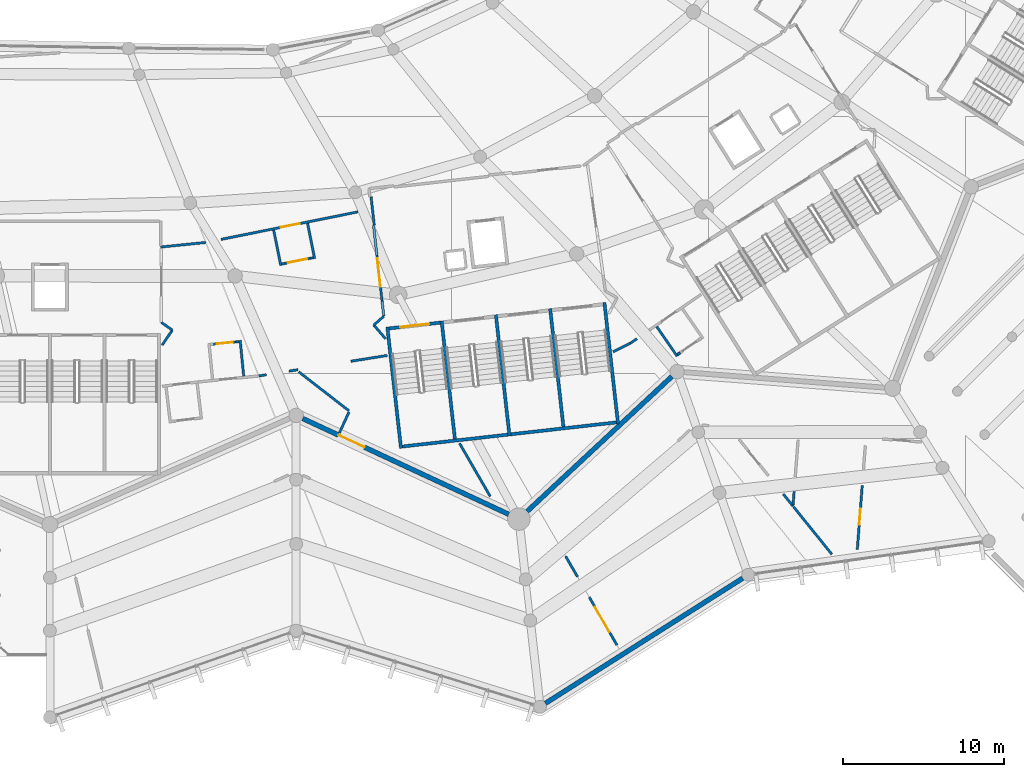
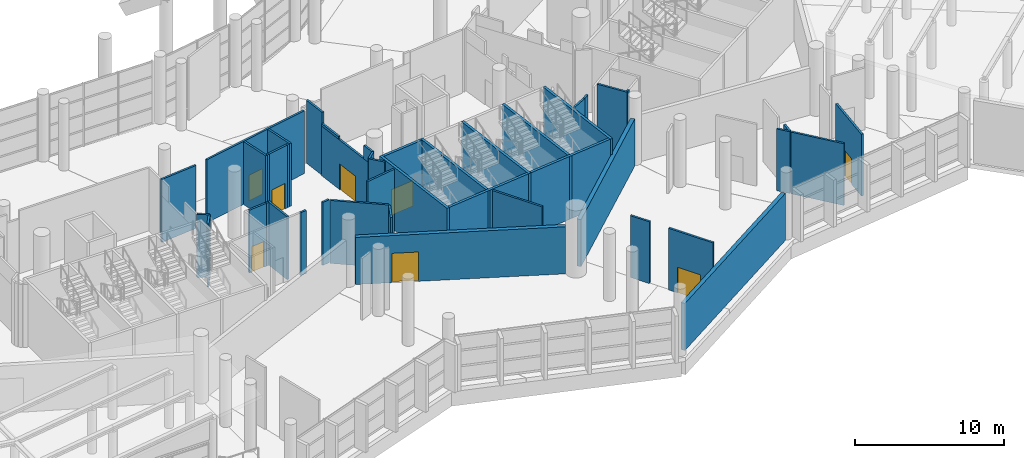
# One storey, part 171 of 271: 45 walls, 8 doors, 8 openings.
"""IFC4 building model written with IfcOpenShell, lengths in metres."""

from ifc_helpers import new_model, si_unit, direction, frame, frame_2d, origin, place, context, subcontext, project, spatial, rectangle, extrude, material, layer, layer_set, type_object, element, fill, save


model = new_model("IFC4")

# Units and contexts
model_context = context("Model", 3, precision=1e-05, world=origin(), true_north=direction((0.0, 1.0)))
body_context = subcontext(model_context, "Body", "Model", "MODEL_VIEW")
ifc_project = project(units=[si_unit("LENGTHUNIT", "METRE"), si_unit("AREAUNIT", "SQUARE_METRE"), si_unit("VOLUMEUNIT", "CUBIC_METRE"), si_unit("PLANEANGLEUNIT", "RADIAN"), si_unit("MASSUNIT", "GRAM", prefix="KILO")], contexts=[model_context])

# Site, building, storey
site_placement = place(None, origin())
site = spatial("IfcSite", under=ifc_project, at=site_placement, CompositionType="ELEMENT")
building_placement = place(site_placement, origin())
building = spatial("IfcBuilding", under=site, at=building_placement, Name="Meseta Stadium", CompositionType="ELEMENT")
storey_placement = place(building_placement, frame((0.0, 0.0, 6.5)))
storey = spatial("IfcBuildingStorey", under=building, at=storey_placement, Name="L01", CompositionType="ELEMENT", Elevation=6.5)

# Walls
ifc_material_1 = material(Name="Concrete C40/50", Category="concrete")
ifc_layer_1 = layer(ifc_material_1, 0.199951171875)
ifc_layer_set_1 = layer_set([ifc_layer_1], Name="Core divider wall 200")
wall_type_1 = type_object("IfcWallType", Name="Core divider wall 200", PredefinedType="SHEAR", material=ifc_layer_set_1)
wall_1_placement = place(storey_placement, frame((48.241943359375, -100.264892578125, 0.0), z_axis=(0.0, 0.0, 1.0), x_axis=(-0.111954577255, 0.993713325176, 0.0)))
element("IfcWall", 1, at=wall_1_placement, inside=storey, type_object=wall_type_1, Name="Core 26 L01 stair A divider wall", PredefinedType="SHEAR", context=body_context, shape_type="SweptSolid", body=[
    extrude(rectangle(XDim=7.599853515625, YDim=0.199951171875, at=frame_2d((3.7998046875, 0.0))), origin(), (0.0, 0.0, 1.0), 5.14990234375),
])
wall_2_placement = place(storey_placement, frame((54.999267578125, -99.503662109375, 0.0), z_axis=(0.0, 0.0, 1.0), x_axis=(-0.111982724367, 0.993710153638, 0.0)))
element("IfcWall", 2, at=wall_2_placement, inside=storey, type_object=wall_type_1, Name="Core 26 L01 stair B divider wall", PredefinedType="SHEAR", context=body_context, shape_type="SweptSolid", body=[
    extrude(rectangle(XDim=7.60009765625, YDim=0.199951171875, at=frame_2d((3.800048828125, 0.0))), origin(), (0.0, 0.0, 1.0), 5.14990234375),
])
ifc_material_2 = material(Name="Concrete C40/50", Category="concrete")
ifc_layer_2 = layer(ifc_material_2, 0.199951171875)
ifc_layer_set_2 = layer_set([ifc_layer_2], Name="Core shaft wall 200")
wall_type_2 = type_object("IfcWallType", Name="Core shaft wall 200", PredefinedType="SHEAR", material=ifc_layer_set_2)
wall_3_placement = place(storey_placement, frame((44.86328125, -100.645751953125, 0.0), z_axis=(0.0, 0.0, 1.0), x_axis=(-0.111951003472, 0.993713727802, 0.0)))
element("IfcWall", 3, at=wall_3_placement, inside=storey, type_object=wall_type_2, Name="Core 26 L01 stair wall A-side", PredefinedType="SHEAR", context=body_context, shape_type="SweptSolid", body=[
    extrude(rectangle(XDim=7.60009765625, YDim=0.199951171875, at=frame_2d((3.800048828125, 0.0))), origin(), (0.0, 0.0, 1.0), 5.14990234375),
])
wall_4_placement = place(storey_placement, frame((51.62060546875, -99.884521484375, 0.0), z_axis=(0.0, 0.0, 1.0), x_axis=(-0.111947429915, 0.993714130389, 0.0)))
element("IfcWall", 4, at=wall_4_placement, inside=storey, type_object=wall_type_2, Name="Core 26 L01 stair wall shared", PredefinedType="SHEAR", context=body_context, shape_type="SweptSolid", body=[
    extrude(rectangle(XDim=7.600341796875, YDim=0.199951171875, at=frame_2d((3.80029296875, 0.0))), origin(), (0.0, 0.0, 1.0), 5.14990234375),
])
wall_5_placement = place(storey_placement, frame((58.3779296875, -99.123046875, 0.0), z_axis=(0.0, 0.0, 1.0), x_axis=(-0.111982724367, 0.993710153638, 0.0)))
element("IfcWall", 5, at=wall_5_placement, inside=storey, type_object=wall_type_2, Name="Core 26 L01 stair wall B-side", PredefinedType="SHEAR", context=body_context, shape_type="SweptSolid", body=[
    extrude(rectangle(XDim=7.60009765625, YDim=0.199951171875, at=frame_2d((3.800048828125, 0.0))), origin(), (0.0, 0.0, 1.0), 5.14990234375),
])
for number, where, z_axis, x_axis, name in (
    (6, (44.951416015625, -100.53515625, 0.0), (0.0, 0.0, 1.0), (0.993711575492, 0.111970106426, 0.0), "Core 26 L01 stair A outer end wall"),
    (7, (51.708740234375, -99.773681640625, 0.0), (0.0, 0.0, 1.0), (0.993715690617, 0.111933579504, 0.0), "Core 26 L01 stair B outer end wall"),
):
    element("IfcWall", number, at=place(storey_placement, frame(where, z_axis=z_axis, x_axis=x_axis)), inside=storey, type_object=wall_type_2, Name=name, PredefinedType="SHEAR", context=body_context, shape_type="SweptSolid", body=[
        extrude(rectangle(XDim=6.60009765625, YDim=0.199951171875, at=frame_2d((3.300048828125, 0.0))), origin(), (0.0, 0.0, 1.0), 5.14990234375),
    ])

# Wall, opening, door
wall_6_placement = place(storey_placement, frame((44.123046875, -93.181640625, 0.0), z_axis=(0.0, 0.0, 1.0), x_axis=(0.993717005286, 0.11192190762, 0.0)))
wall_6 = element("IfcWall", 8, at=wall_6_placement, inside=storey, type_object=wall_type_2, Name="Core 26 L01 stair A1 inner end wall", PredefinedType="SHEAR", context=body_context, shape_type="SweptSolid", body=[
    extrude(rectangle(XDim=3.199951171875, YDim=0.199951171875, at=frame_2d((1.60009765625, 0.0))), origin(), (0.0, 0.0, 1.0), 5.14990234375),
])
opening_1_placement = place(wall_6_placement, frame((0.699951171875, 0.0, 0.0)))
opening_1 = element("IfcOpeningElement", 9, at=opening_1_placement, cuts=wall_6, Name="Opening D349", PredefinedType="OPENING", context=body_context, shape_type="SweptSolid", body=[
    extrude(rectangle(XDim=1.800048828125, YDim=2.10009765625, at=frame_2d((0.89990234375, 1.050048828125))), frame((0.0, 0.10986328125, 0.0), z_axis=(0.0, -1.0, 0.0), x_axis=(1.0, 0.0, 0.0)), (0.0, 0.0, 1.0), 0.219970703125),
])
ifc_material_3 = material(Name="Steel", Category="steel")
door_type_1 = type_object("IfcDoorType", Name="Stair door 1800x2100", OperationType="DOUBLE_DOOR_SINGLE_SWING", PredefinedType="DOOR", material=ifc_material_3)
door_1_placement = place(opening_1_placement, origin())
door_1 = element("IfcDoor", 10, at=door_1_placement, inside=storey, type_object=door_type_1, Name="Stair A1 door 26 L01", OperationType="DOUBLE_DOOR_SINGLE_SWING", OverallHeight=2.10009765625, OverallWidth=1.800048828125, PredefinedType="DOOR", context=body_context, shape_type="SweptSolid", body=[
    extrude(rectangle(XDim=1.800048828125, YDim=2.10009765625, at=frame_2d((0.89990234375, 1.050048828125))), frame((0.0, 0.02490234375, 0.0), z_axis=(0.0, -1.0, 0.0), x_axis=(1.0, 0.0, 0.0)), (0.0, 0.0, 1.0), 0.050048828125),
])
fill(opening_1, door_1)

ifc_material_4 = material(Name="Masonry blockwork", Category="masonry")
ifc_layer_3 = layer(ifc_material_4, 0.14990234375)
ifc_layer_set_3 = layer_set([ifc_layer_3], Name="Partition 150")
wall_type_3 = type_object("IfcWallType", Name="Partition 150", PredefinedType="PARTITIONING", material=ifc_layer_set_3)
wall_7_placement = place(storey_placement, frame((42.189208984375, -85.923095703125, 0.0), z_axis=(0.0, 0.0, 1.0), x_axis=(-0.980362096197, -0.197205883129, 0.0)))
wall_7 = element("IfcWall", 11, at=wall_7_placement, inside=storey, type_object=wall_type_3, Name="Partition L01 L01-cell24-0-0", PredefinedType="PARTITIONING", context=body_context, shape_type="SweptSolid", body=[
    extrude(rectangle(XDim=8.701904296875, YDim=0.14990234375, at=frame_2d((4.35107421875, 0.0))), origin(), (0.0, 0.0, 1.0), 5.14990234375),
])
opening_2_placement = place(wall_7_placement, frame((3.699951171875, 0.0, 0.0)))
opening_2 = element("IfcOpeningElement", 12, at=opening_2_placement, cuts=wall_7, Name="Opening D673", PredefinedType="OPENING", context=body_context, shape_type="SweptSolid", body=[
    extrude(rectangle(XDim=1.199951171875, YDim=2.10009765625, at=frame_2d((0.60009765625, 1.050048828125))), frame((0.0, 0.0849609375, 0.0), z_axis=(0.0, -1.0, 0.0), x_axis=(1.0, 0.0, 0.0)), (0.0, 0.0, 1.0), 0.169921875),
])
ifc_material_5 = material(Name="Steel", Category="steel")
door_type_2 = type_object("IfcDoorType", Name="Fire door 1200x2100 EI2 60", OperationType="NOTDEFINED", PredefinedType="DOOR", material=ifc_material_5)
door_2_placement = place(opening_2_placement, origin())
door_2 = element("IfcDoor", 13, at=door_2_placement, inside=storey, type_object=door_type_2, Name="Door D673", OperationType="SINGLE_SWING_LEFT", OverallHeight=2.10009765625, OverallWidth=1.199951171875, PredefinedType="DOOR", context=body_context, shape_type="SweptSolid", body=[
    extrude(rectangle(XDim=1.199951171875, YDim=2.10009765625, at=frame_2d((0.60009765625, 1.050048828125))), frame((0.0, 0.02490234375, 0.0), z_axis=(0.0, -1.0, 0.0), x_axis=(1.0, 0.0, 0.0)), (0.0, 0.0, 1.0), 0.050048828125),
])
fill(opening_2, door_2)

# Walls
wall_8_placement = place(storey_placement, frame((32.710205078125, -87.82958984375, 0.0), z_axis=(0.0, 0.0, 1.0), x_axis=(-0.994882835279, -0.101035360476, 0.0)))
element("IfcWall", 14, at=wall_8_placement, inside=storey, type_object=wall_type_3, Name="Partition L01 L01-cell24-0-0", PredefinedType="PARTITIONING", context=body_context, shape_type="SweptSolid", body=[
    extrude(rectangle(XDim=2.82470703125, YDim=0.14990234375, at=frame_2d((1.412353515625, 0.0))), origin(), (0.0, 0.0, 1.0), 5.14990234375),
])
wall_9_placement = place(storey_placement, frame((36.008544921875, -96.141357421875, 0.0), z_axis=(0.0, 0.0, 1.0), x_axis=(0.987478956235, 0.157750787614, 0.0)))
element("IfcWall", 15, at=wall_9_placement, inside=storey, type_object=wall_type_3, Name="Partition L01 L01-cell24-2-0", PredefinedType="PARTITIONING", context=body_context, shape_type="SweptSolid", body=[
    extrude(rectangle(XDim=0.4765625, YDim=0.14990234375, at=frame_2d((0.23828125, 0.0))), origin(), (0.0, 0.0, 1.0), 5.14990234375),
])
wall_10_placement = place(storey_placement, frame((37.891357421875, -95.841064453125, 0.0), z_axis=(0.0, 0.0, 1.0), x_axis=(0.987546472481, 0.1573275713, 0.0)))
element("IfcWall", 16, at=wall_10_placement, inside=storey, type_object=wall_type_3, Name="Partition L01 L01-cell24-2-0", PredefinedType="PARTITIONING", context=body_context, shape_type="SweptSolid", body=[
    extrude(rectangle(XDim=0.560302734375, YDim=0.14990234375, at=frame_2d((0.2802734375, 0.0))), origin(), (0.0, 0.0, 1.0), 5.14990234375),
])
wall_11_placement = place(storey_placement, frame((48.508056640625, -100.335693359375, 0.0), z_axis=(0.0, 0.0, 1.0), x_axis=(0.500439359674, -0.865771590715, 0.0)))
element("IfcWall", 17, at=wall_11_placement, inside=storey, type_object=wall_type_3, Name="Partition L01 L01-cell24-2-0", PredefinedType="PARTITIONING", context=body_context, shape_type="SweptSolid", body=[
    extrude(rectangle(XDim=3.82177734375, YDim=0.14990234375, at=frame_2d((1.910888671875, 0.0))), origin(), (0.0, 0.0, 1.0), 5.14990234375),
])
wall_12_placement = place(storey_placement, frame((42.998291015625, -84.985595703125, 0.0), z_axis=(0.0, 0.0, 1.0), x_axis=(0.111954160668, -0.993713372109, 0.0)))
element("IfcWall", 18, at=wall_12_placement, inside=storey, type_object=wall_type_3, Name="Partition L01 L01-cell25-0-0", PredefinedType="PARTITIONING", context=body_context, shape_type="SweptSolid", body=[
    extrude(rectangle(XDim=1.77734375, YDim=0.14990234375, at=frame_2d((0.888671875, 0.0))), origin(), (0.0, 0.0, 1.0), 5.14990234375),
])
wall_13_placement = place(storey_placement, frame((58.07421875, -94.64111328125, 0.0), z_axis=(0.0, 0.0, 1.0), x_axis=(0.89288454256, 0.450285680049, 0.0)))
element("IfcWall", 19, at=wall_13_placement, inside=storey, type_object=wall_type_3, Name="Partition L01 L01-cell25-2-0", PredefinedType="PARTITIONING", context=body_context, shape_type="SweptSolid", body=[
    extrude(rectangle(XDim=1.20703125, YDim=0.14990234375, at=frame_2d((0.603515625, 0.0))), origin(), (0.0, 0.0, 1.0), 5.14990234375),
])
wall_14_placement = place(storey_placement, frame((59.15185546875, -94.09765625, 0.0), z_axis=(0.0, 0.0, 1.0), x_axis=(0.823188427996, 0.567768273165, 0.0)))
element("IfcWall", 20, at=wall_14_placement, inside=storey, type_object=wall_type_3, Name="Partition L01 L01-cell25-2-0", PredefinedType="PARTITIONING", context=body_context, shape_type="SweptSolid", body=[
    extrude(rectangle(XDim=0.484619140625, YDim=0.14990234375, at=frame_2d((0.2421875, 0.0))), origin(), (0.0, 0.0, 1.0), 5.14990234375),
])
wall_15_placement = place(storey_placement, frame((55.113525390625, -107.367431640625, 0.0), z_axis=(0.0, 0.0, 1.0), x_axis=(0.500539815233, -0.865713516913, 0.0)))
element("IfcWall", 21, at=wall_15_placement, inside=storey, type_object=wall_type_3, Name="Partition L01 L01-ring24-0", PredefinedType="PARTITIONING", context=body_context, shape_type="SweptSolid", body=[
    extrude(rectangle(XDim=1.473388671875, YDim=0.14990234375, at=frame_2d((0.73681640625, 0.0))), origin(), (0.0, 0.0, 1.0), 5.050048828125),
])

# Wall, opening, door
wall_16_placement = place(storey_placement, frame((56.58837890625, -109.918701171875, 0.0), z_axis=(0.0, 0.0, 1.0), x_axis=(0.500453880067, -0.865763197373, 0.0)))
wall_16 = element("IfcWall", 22, at=wall_16_placement, inside=storey, type_object=wall_type_3, Name="Partition L01 L01-ring24-0", PredefinedType="PARTITIONING", context=body_context, shape_type="SweptSolid", body=[
    extrude(rectangle(XDim=3.437744140625, YDim=0.14990234375, at=frame_2d((1.71875, 0.0))), origin(), (0.0, 0.0, 1.0), 5.050048828125),
])
opening_3_placement = place(wall_16_placement, frame((0.699951171875, 0.0, 0.0)))
opening_3 = element("IfcOpeningElement", 23, at=opening_3_placement, cuts=wall_16, Name="Opening D701", PredefinedType="OPENING", context=body_context, shape_type="SweptSolid", body=[
    extrude(rectangle(XDim=1.800048828125, YDim=2.10009765625, at=frame_2d((0.89990234375, 1.050048828125))), frame((0.0, 0.0849609375, 0.0), z_axis=(0.0, -1.0, 0.0), x_axis=(1.0, 0.0, 0.0)), (0.0, 0.0, 1.0), 0.169921875),
])
ifc_material_6 = material(Name="Steel", Category="steel")
door_type_3 = type_object("IfcDoorType", Name="Fire double door 1800x2100 EI2 60", OperationType="DOUBLE_DOOR_SINGLE_SWING", PredefinedType="DOOR", material=ifc_material_6)
door_3_placement = place(opening_3_placement, origin())
door_3 = element("IfcDoor", 24, at=door_3_placement, inside=storey, type_object=door_type_3, Name="Door D701", OperationType="DOUBLE_DOOR_SINGLE_SWING", OverallHeight=2.10009765625, OverallWidth=1.800048828125, PredefinedType="DOOR", context=body_context, shape_type="SweptSolid", body=[
    extrude(rectangle(XDim=1.800048828125, YDim=2.10009765625, at=frame_2d((0.89990234375, 1.050048828125))), frame((0.0, 0.02490234375, 0.0), z_axis=(0.0, -1.0, 0.0), x_axis=(1.0, 0.0, 0.0)), (0.0, 0.0, 1.0), 0.050048828125),
])
fill(opening_3, door_3)

# Walls
wall_17_placement = place(storey_placement, frame((69.341064453125, -103.330810546875, 0.0), z_axis=(0.0, 0.0, 1.0), x_axis=(-0.076961999747, -0.997034026799, 0.0)))
element("IfcWall", 25, at=wall_17_placement, inside=storey, type_object=wall_type_3, Name="Partition L01 L01-ring25-0a", PredefinedType="PARTITIONING", context=body_context, shape_type="SweptSolid", body=[
    extrude(rectangle(XDim=0.84375, YDim=0.14990234375, at=frame_2d((0.421875, 0.0))), origin(), (0.0, 0.0, 1.0), 5.050048828125),
])
wall_18_placement = place(storey_placement, frame((69.2705078125, -104.246826171875, 0.0), z_axis=(0.0, 0.0, 1.0), x_axis=(-0.628091363936, 0.778139600939, 0.0)))
element("IfcWall", 26, at=wall_18_placement, inside=storey, type_object=wall_type_3, Name="Partition L01 L01-ring25-0a", PredefinedType="PARTITIONING", context=body_context, shape_type="SweptSolid", body=[
    extrude(rectangle(XDim=0.971435546875, YDim=0.14990234375, at=frame_2d((0.48583984375, 0.0))), origin(), (0.0, 0.0, 1.0), 5.050048828125),
])
wall_19_placement = place(storey_placement, frame((71.69140625, -107.246826171875, 0.0), z_axis=(0.0, 0.0, 1.0), x_axis=(-0.62800699808, 0.77820769102, 0.0)))
element("IfcWall", 27, at=wall_19_placement, inside=storey, type_object=wall_type_3, Name="Partition L01 L01-ring25-0b1", PredefinedType="PARTITIONING", context=body_context, shape_type="SweptSolid", body=[
    extrude(rectangle(XDim=3.80517578125, YDim=0.14990234375, at=frame_2d((1.902587890625, 0.0))), origin(), (0.0, 0.0, 1.0), 5.050048828125),
])

# Wall, opening, door
wall_20_placement = place(storey_placement, frame((73.581298828125, -102.970703125, 0.0), z_axis=(0.0, 0.0, 1.0), x_axis=(-0.076916598372, -0.997037530334, 0.0)))
wall_20 = element("IfcWall", 28, at=wall_20_placement, inside=storey, type_object=wall_type_3, Name="Partition L01 L01-ring25-0b1", PredefinedType="PARTITIONING", context=body_context, shape_type="SweptSolid", body=[
    extrude(rectangle(XDim=3.986572265625, YDim=0.14990234375, at=frame_2d((1.9931640625, 0.0))), origin(), (0.0, 0.0, 1.0), 5.050048828125),
])
opening_4_placement = place(wall_20_placement, frame((1.449951171875, 0.0, 0.0)))
opening_4 = element("IfcOpeningElement", 29, at=opening_4_placement, cuts=wall_20, Name="Opening D703", PredefinedType="OPENING", context=body_context, shape_type="SweptSolid", body=[
    extrude(rectangle(XDim=1.0, YDim=2.10009765625, at=frame_2d((0.5, 1.050048828125))), frame((0.0, 0.0849609375, 0.0), z_axis=(0.0, -1.0, 0.0), x_axis=(1.0, 0.0, 0.0)), (0.0, 0.0, 1.0), 0.169921875),
])
ifc_material_7 = material(Name="Timber", Category="wood")
door_type_4 = type_object("IfcDoorType", Name="Room door 1000x2100", OperationType="NOTDEFINED", PredefinedType="DOOR", material=ifc_material_7)
door_4_placement = place(opening_4_placement, origin())
door_4 = element("IfcDoor", 30, at=door_4_placement, inside=storey, type_object=door_type_4, Name="Door D703", OperationType="SINGLE_SWING_LEFT", OverallHeight=2.10009765625, OverallWidth=1.0, PredefinedType="DOOR", context=body_context, shape_type="SweptSolid", body=[
    extrude(rectangle(XDim=1.0, YDim=2.10009765625, at=frame_2d((0.5, 1.050048828125))), frame((0.0, 0.02490234375, 0.0), z_axis=(0.0, -1.0, 0.0), x_axis=(1.0, 0.0, 0.0)), (0.0, 0.0, 1.0), 0.050048828125),
])
fill(opening_4, door_4)

# Walls
wall_21_placement = place(storey_placement, frame((38.497802734375, -95.88623046875, 0.0), z_axis=(0.0, 0.0, 1.0), x_axis=(0.790219801195, -0.612823519294, 0.0)))
element("IfcWall", 31, at=wall_21_placement, inside=storey, type_object=wall_type_3, Name="Partition L01 cell24-2-0 link", PredefinedType="PARTITIONING", context=body_context, shape_type="SweptSolid", body=[
    extrude(rectangle(XDim=3.951171875, YDim=0.14990234375, at=frame_2d((1.9755859375, 0.0))), origin(), (0.0, 0.0, 1.0), 5.14990234375),
])
wall_22_placement = place(storey_placement, frame((41.627197265625, -98.3828125, 0.0), z_axis=(0.0, 0.0, 1.0), x_axis=(-0.418008717052, -0.908443015532, 0.0)))
element("IfcWall", 32, at=wall_22_placement, inside=storey, type_object=wall_type_3, Name="Partition L01 cell24-2-0 link", PredefinedType="PARTITIONING", context=body_context, shape_type="SweptSolid", body=[
    extrude(rectangle(XDim=1.446044921875, YDim=0.14990234375, at=frame_2d((0.72314453125, 0.0))), origin(), (0.0, 0.0, 1.0), 5.14990234375),
])
wall_23_placement = place(storey_placement, frame((41.739013671875, -95.2275390625, 0.0), z_axis=(0.0, 0.0, 1.0), x_axis=(0.987519978733, 0.157493782745, 0.0)))
element("IfcWall", 33, at=wall_23_placement, inside=storey, type_object=wall_type_3, Name="Partition L01 L01-cell24-2-0.1", PredefinedType="PARTITIONING", context=body_context, shape_type="SweptSolid", body=[
    extrude(rectangle(XDim=2.300537109375, YDim=0.14990234375, at=frame_2d((1.150390625, 0.0))), origin(), (0.0, 0.0, 1.0), 5.14990234375),
])
wall_24_placement = place(storey_placement, frame((29.989501953125, -94.2197265625, 0.0), z_axis=(0.0, 0.0, 1.0), x_axis=(0.562570599462, 0.826749248939, 0.0)))
element("IfcWall", 34, at=wall_24_placement, inside=storey, type_object=wall_type_3, Name="Stair vestibule wall L01 core 25", PredefinedType="PARTITIONING", context=body_context, shape_type="SweptSolid", body=[
    extrude(rectangle(XDim=1.12744140625, YDim=0.14990234375, at=frame_2d((0.563720703125, 0.0))), origin(), (0.0, 0.0, 1.0), 5.14990234375),
])
wall_25_placement = place(storey_placement, frame((30.623779296875, -93.28759765625, 0.0), z_axis=(0.0, 0.0, 1.0), x_axis=(-0.817334487726, 0.5761634622, 0.0)))
element("IfcWall", 35, at=wall_25_placement, inside=storey, type_object=wall_type_3, Name="Stair vestibule wall L01 core 25", PredefinedType="PARTITIONING", context=body_context, shape_type="SweptSolid", body=[
    extrude(rectangle(XDim=0.830078125, YDim=0.14990234375, at=frame_2d((0.4150390625, 0.0))), origin(), (0.0, 0.0, 1.0), 5.14990234375),
])

# Wall, opening, door
wall_26_placement = place(storey_placement, frame((43.153564453125, -86.7666015625, 0.0), z_axis=(0.0, 0.0, 1.0), x_axis=(0.111980060209, -0.993710453863, 0.0)))
wall_26 = element("IfcWall", 36, at=wall_26_placement, inside=storey, type_object=wall_type_3, Name="Stair vestibule wall L01 core 26", PredefinedType="PARTITIONING", context=body_context, shape_type="SweptSolid", body=[
    extrude(rectangle(XDim=5.692626953125, YDim=0.14990234375, at=frame_2d((2.84619140625, 0.0))), origin(), (0.0, 0.0, 1.0), 4.050048828125),
])
opening_5_placement = place(wall_26_placement, frame((2.050048828125, 0.0, 0.0)))
opening_5 = element("IfcOpeningElement", 37, at=opening_5_placement, cuts=wall_26, Name="Opening D807", PredefinedType="OPENING", context=body_context, shape_type="SweptSolid", body=[
    extrude(rectangle(XDim=1.800048828125, YDim=2.10009765625, at=frame_2d((0.89990234375, 1.050048828125))), frame((0.0, 0.0849609375, 0.0), z_axis=(0.0, -1.0, 0.0), x_axis=(1.0, 0.0, 0.0)), (0.0, 0.0, 1.0), 0.169921875),
])
door_5_placement = place(opening_5_placement, origin())
door_5 = element("IfcDoor", 38, at=door_5_placement, inside=storey, type_object=door_type_3, Name="Stair vestibule door L01 core 26", OperationType="DOUBLE_DOOR_SINGLE_SWING", OverallHeight=2.10009765625, OverallWidth=1.800048828125, PredefinedType="DOOR", context=body_context, shape_type="SweptSolid", body=[
    extrude(rectangle(XDim=1.800048828125, YDim=2.10009765625, at=frame_2d((0.89990234375, 1.050048828125))), frame((0.0, 0.02490234375, 0.0), z_axis=(0.0, -1.0, 0.0), x_axis=(1.0, 0.0, 0.0)), (0.0, 0.0, 1.0), 0.050048828125),
])
fill(opening_5, door_5)

# Walls
wall_27_placement = place(storey_placement, frame((43.153564453125, -86.7666015625, 4.050048828125), z_axis=(0.0, 0.0, 1.0), x_axis=(0.11205520804, -0.993701982664, 0.0)))
element("IfcWall", 39, at=wall_27_placement, inside=storey, type_object=wall_type_3, Name="Stair vestibule wall L01 core 26", PredefinedType="PARTITIONING", context=body_context, shape_type="SweptSolid", body=[
    extrude(rectangle(XDim=1.897705078125, YDim=0.14990234375, at=frame_2d((0.94873046875, 0.0))), origin(), (0.0, 0.0, 1.0), 0.199951171875),
])
wall_28_placement = place(storey_placement, frame((43.684814453125, -91.480712890625, 4.050048828125), z_axis=(0.0, 0.0, 1.0), x_axis=(0.11195679558, -0.99371307525, 0.0)))
element("IfcWall", 40, at=wall_28_placement, inside=storey, type_object=wall_type_3, Name="Stair vestibule wall L01 core 26", PredefinedType="PARTITIONING", context=body_context, shape_type="SweptSolid", body=[
    extrude(rectangle(XDim=0.948486328125, YDim=0.14990234375, at=frame_2d((0.47412109375, 0.0))), origin(), (0.0, 0.0, 1.0), 1.099853515625),
])
wall_29_placement = place(storey_placement, frame((43.791015625, -92.42333984375, 0.0), z_axis=(0.0, 0.0, 1.0), x_axis=(-0.748350259109, -0.66330376879, 0.0)))
element("IfcWall", 41, at=wall_29_placement, inside=storey, type_object=wall_type_3, Name="Stair vestibule wall L01 core 26", PredefinedType="PARTITIONING", context=body_context, shape_type="SweptSolid", body=[
    extrude(rectangle(XDim=0.82958984375, YDim=0.14990234375, at=frame_2d((0.414794921875, 0.0))), origin(), (0.0, 0.0, 1.0), 5.14990234375),
])
wall_30_placement = place(storey_placement, frame((43.170166015625, -92.9736328125, 0.0), z_axis=(0.0, 0.0, 1.0), x_axis=(0.651040876816, -0.759042671208, 0.0)))
element("IfcWall", 42, at=wall_30_placement, inside=storey, type_object=wall_type_3, Name="Stair vestibule wall L01 core 26", PredefinedType="PARTITIONING", context=body_context, shape_type="SweptSolid", body=[
    extrude(rectangle(XDim=1.1279296875, YDim=0.14990234375, at=frame_2d((0.56396484375, 0.0))), origin(), (0.0, 0.0, 1.0), 5.14990234375),
])
for number, where, z_axis, x_axis, name in (
    (43, (39.042236328125, -86.632568359375, 0.0), (0.0, 0.0, 1.0), (0.197159372057, -0.980371451038, 0.0), "Partition L01 L01-cell24-0-0 vestibule"),
    (44, (36.934326171875, -87.056396484375, 0.0), (0.0, 0.0, 1.0), (0.197263658984, -0.980350472456, 0.0), "Partition L01 L01-cell24-0-0 vestibule"),
):
    element("IfcWall", number, at=place(storey_placement, frame(where, z_axis=z_axis, x_axis=x_axis)), inside=storey, type_object=wall_type_3, Name=name, PredefinedType="PARTITIONING", context=body_context, shape_type="SweptSolid", body=[
        extrude(rectangle(XDim=2.25, YDim=0.14990234375, at=frame_2d((1.125, 0.0))), origin(), (0.0, 0.0, 1.0), 5.14990234375),
    ])
wall_31_placement = place(storey_placement, frame((39.397705078125, -88.779541015625, 0.0), z_axis=(0.0, 0.0, 1.0), x_axis=(-0.980250639168, -0.197759157591, 0.0)))
element("IfcWall", 45, at=wall_31_placement, inside=storey, type_object=wall_type_3, Name="Partition L01 L01-cell24-0-0 vestibule", PredefinedType="PARTITIONING", context=body_context, shape_type="SweptSolid", body=[
    extrude(rectangle(XDim=0.199951171875, YDim=0.14990234375, at=frame_2d((0.10009765625, 0.0))), origin(), (0.0, 0.0, 1.0), 5.14990234375),
])

# Wall, opening, door
wall_32_placement = place(storey_placement, frame((39.20166015625, -88.819091796875, 0.0), z_axis=(0.0, 0.0, 1.0), x_axis=(-0.98037473159, -0.197143058866, 0.0)))
wall_32 = element("IfcWall", 46, at=wall_32_placement, inside=storey, type_object=wall_type_3, Name="Partition L01 L01-cell24-0-0 vestibule", PredefinedType="PARTITIONING", context=body_context, shape_type="SweptSolid", body=[
    extrude(rectangle(XDim=1.60009765625, YDim=0.14990234375, at=frame_2d((0.800048828125, 0.0))), origin(), (0.0, 0.0, 1.0), 5.14990234375),
])
opening_6_placement = place(wall_32_placement, frame((0.199951171875, 0.0, 0.0)))
opening_6 = element("IfcOpeningElement", 47, at=opening_6_placement, cuts=wall_32, Name="Opening D915", PredefinedType="OPENING", context=body_context, shape_type="SweptSolid", body=[
    extrude(rectangle(XDim=1.199951171875, YDim=2.10009765625, at=frame_2d((0.60009765625, 1.050048828125))), frame((0.0, 0.0849609375, 0.0), z_axis=(0.0, -1.0, 0.0), x_axis=(1.0, 0.0, 0.0)), (0.0, 0.0, 1.0), 0.169921875),
])
door_6_placement = place(opening_6_placement, origin())
door_6 = element("IfcDoor", 48, at=door_6_placement, inside=storey, type_object=door_type_2, Name="Vestibule door L01 L01-cell24-0-0", OperationType="SINGLE_SWING_LEFT", OverallHeight=2.10009765625, OverallWidth=1.199951171875, PredefinedType="DOOR", context=body_context, shape_type="SweptSolid", body=[
    extrude(rectangle(XDim=1.199951171875, YDim=2.10009765625, at=frame_2d((0.60009765625, 1.050048828125))), frame((0.0, 0.02490234375, 0.0), z_axis=(0.0, -1.0, 0.0), x_axis=(1.0, 0.0, 0.0)), (0.0, 0.0, 1.0), 0.050048828125),
])
fill(opening_6, door_6)

# Walls
wall_33_placement = place(storey_placement, frame((37.633056640625, -89.134521484375, 0.0), z_axis=(0.0, 0.0, 1.0), x_axis=(-0.980250639168, -0.197759157591, 0.0)))
element("IfcWall", 49, at=wall_33_placement, inside=storey, type_object=wall_type_3, Name="Partition L01 L01-cell24-0-0 vestibule", PredefinedType="PARTITIONING", context=body_context, shape_type="SweptSolid", body=[
    extrude(rectangle(XDim=0.199951171875, YDim=0.14990234375, at=frame_2d((0.10009765625, 0.0))), origin(), (0.0, 0.0, 1.0), 5.14990234375),
])
wall_34_placement = place(storey_placement, frame((35.069580078125, -96.158935546875, 0.0), z_axis=(0.0, 0.0, 1.0), x_axis=(-0.098526017182, 0.995134475304, 0.0)))
element("IfcWall", 50, at=wall_34_placement, inside=storey, type_object=wall_type_3, Name="Partition L01 L01-cell24-2-0 vestibule", PredefinedType="PARTITIONING", context=body_context, shape_type="SweptSolid", body=[
    extrude(rectangle(XDim=2.25, YDim=0.14990234375, at=frame_2d((1.125, 0.0))), origin(), (0.0, 0.0, 1.0), 5.14990234375),
])

# Wall, opening, door
wall_35_placement = place(storey_placement, frame((33.188232421875, -94.15966796875, 0.0), z_axis=(0.0, 0.0, 1.0), x_axis=(0.995118000901, 0.098692270634, 0.0)))
wall_35 = element("IfcWall", 51, at=wall_35_placement, inside=storey, type_object=wall_type_3, Name="Partition L01 L01-cell24-2-0 vestibule", PredefinedType="PARTITIONING", context=body_context, shape_type="SweptSolid", body=[
    extrude(rectangle(XDim=1.400146484375, YDim=0.14990234375, at=frame_2d((0.7001953125, 0.0))), origin(), (0.0, 0.0, 1.0), 5.14990234375),
])
opening_7_placement = place(wall_35_placement, frame((0.199951171875, 0.0, 0.0)))
opening_7 = element("IfcOpeningElement", 52, at=opening_7_placement, cuts=wall_35, Name="Opening D916", PredefinedType="OPENING", context=body_context, shape_type="SweptSolid", body=[
    extrude(rectangle(XDim=1.0, YDim=2.10009765625, at=frame_2d((0.5, 1.050048828125))), frame((0.0, 0.0849609375, 0.0), z_axis=(0.0, -1.0, 0.0), x_axis=(1.0, 0.0, 0.0)), (0.0, 0.0, 1.0), 0.169921875),
])
ifc_material_8 = material(Name="Steel", Category="steel")
door_type_5 = type_object("IfcDoorType", Name="Fire door 1000x2100 EI2 60", OperationType="NOTDEFINED", PredefinedType="DOOR", material=ifc_material_8)
door_7_placement = place(opening_7_placement, origin())
door_7 = element("IfcDoor", 53, at=door_7_placement, inside=storey, type_object=door_type_5, Name="Vestibule door L01 L01-cell24-2-0", OperationType="SINGLE_SWING_RIGHT", OverallHeight=2.10009765625, OverallWidth=1.0, PredefinedType="DOOR", context=body_context, shape_type="SweptSolid", body=[
    extrude(rectangle(XDim=1.0, YDim=2.10009765625, at=frame_2d((0.5, 1.050048828125))), frame((0.0, 0.02490234375, 0.0), z_axis=(0.0, -1.0, 0.0), x_axis=(1.0, 0.0, 0.0)), (0.0, 0.0, 1.0), 0.050048828125),
])
fill(opening_7, door_7)

# Walls
wall_36_placement = place(storey_placement, frame((34.58154296875, -94.021484375, 0.0), z_axis=(0.0, 0.0, 1.0), x_axis=(0.995216892722, 0.09769000174, 0.0)))
element("IfcWall", 54, at=wall_36_placement, inside=storey, type_object=wall_type_3, Name="Partition L01 L01-cell24-2-0 vestibule", PredefinedType="PARTITIONING", context=body_context, shape_type="SweptSolid", body=[
    extrude(rectangle(XDim=0.199951171875, YDim=0.14990234375, at=frame_2d((0.10009765625, 0.0))), origin(), (0.0, 0.0, 1.0), 5.14990234375),
])
wall_37_placement = place(storey_placement, frame((60.781982421875, -93.064208984375, 0.0), z_axis=(0.0, 0.0, 1.0), x_axis=(0.567951008847, -0.823062361884, 0.0)))
element("IfcWall", 55, at=wall_37_placement, inside=storey, type_object=wall_type_3, Name="Partition L01 L01-cell25-2-0 vestibule", PredefinedType="PARTITIONING", context=body_context, shape_type="SweptSolid", body=[
    extrude(rectangle(XDim=2.25, YDim=0.14990234375, at=frame_2d((1.125, 0.0))), origin(), (0.0, 0.0, 1.0), 5.14990234375),
])
wall_38_placement = place(storey_placement, frame((62.078857421875, -94.811767578125, 0.0), z_axis=(0.0, 0.0, 1.0), x_axis=(0.82350760101, 0.567305236251, 0.0)))
element("IfcWall", 56, at=wall_38_placement, inside=storey, type_object=wall_type_3, Name="Partition L01 L01-cell25-2-0 vestibule", PredefinedType="PARTITIONING", context=body_context, shape_type="SweptSolid", body=[
    extrude(rectangle(XDim=0.2001953125, YDim=0.14990234375, at=frame_2d((0.10009765625, 0.0))), origin(), (0.0, 0.0, 1.0), 5.14990234375),
])

# Wall, opening, door
ifc_material_9 = material(Name="White precast concrete C40/50", Category="concrete")
ifc_layer_4 = layer(ifc_material_9, 0.300048828125)
ifc_layer_set_4 = layer_set([ifc_layer_4], Name="Pleated panel wall 300 concourse")
wall_type_4 = type_object("IfcWallType", Name="Pleated panel wall 300 concourse", PredefinedType="SOLIDWALL", material=ifc_layer_set_4)
wall_39_placement = place(storey_placement, frame((51.56884765625, -104.7568359375, 0.0), z_axis=(0.0, 0.0, 1.0), x_axis=(-0.906698705786, 0.421778919491, 0.0)))
wall_39 = element("IfcWall", 57, at=wall_39_placement, inside=storey, type_object=wall_type_4, Name="Pleated facade panel L01 F49", PredefinedType="SOLIDWALL", context=body_context, shape_type="SweptSolid", body=[
    extrude(rectangle(XDim=14.14794921875, YDim=0.300048828125, at=frame_2d((7.073974609375, 0.0))), origin(), (0.0, 0.0, 1.0), 3.85009765625),
])
opening_8_placement = place(wall_39_placement, frame((9.8974609375, 0.0, 0.0)))
opening_8 = element("IfcOpeningElement", 58, at=opening_8_placement, cuts=wall_39, Name="Opening D996", PredefinedType="OPENING", context=body_context, shape_type="SweptSolid", body=[
    extrude(rectangle(XDim=1.800048828125, YDim=2.39990234375, at=frame_2d((0.89990234375, 1.199951171875))), frame((0.0, 0.159912109375, 0.0), z_axis=(0.0, -1.0, 0.0), x_axis=(1.0, 0.0, 0.0)), (0.0, 0.0, 1.0), 0.320068359375),
])
ifc_material_10 = material(Name="Steel", Category="steel")
door_type_6 = type_object("IfcDoorType", Name="Concourse double door 1800x2400", OperationType="DOUBLE_DOOR_SINGLE_SWING", PredefinedType="DOOR", material=ifc_material_10)
door_8_placement = place(opening_8_placement, origin())
door_8 = element("IfcDoor", 59, at=door_8_placement, inside=storey, type_object=door_type_6, Name="Concourse door", OperationType="DOUBLE_DOOR_SINGLE_SWING", OverallHeight=2.39990234375, OverallWidth=1.800048828125, PredefinedType="DOOR", context=body_context, shape_type="SweptSolid", body=[
    extrude(rectangle(XDim=1.800048828125, YDim=2.39990234375, at=frame_2d((0.89990234375, 1.199951171875))), frame((0.0, 0.02490234375, 0.0), z_axis=(0.0, -1.0, 0.0), x_axis=(1.0, 0.0, 0.0)), (0.0, 0.0, 1.0), 0.050048828125),
])
fill(opening_8, door_8)

# Walls
wall_40_placement = place(storey_placement, frame((61.72265625, -96.17919921875, 0.0), z_axis=(0.0, 0.0, 1.0), x_axis=(-0.731540985517, -0.681797467368, 0.0)))
element("IfcWall", 60, at=wall_40_placement, inside=storey, type_object=wall_type_4, Name="Pleated facade panel L01 F50", PredefinedType="SOLIDWALL", context=body_context, shape_type="SweptSolid", body=[
    extrude(rectangle(XDim=12.314208984375, YDim=0.300048828125, at=frame_2d((6.1572265625, 0.0))), origin(), (0.0, 0.0, 1.0), 3.85009765625),
])
ifc_material_11 = material(Name="Precast concrete C40/50", Category="concrete")
ifc_layer_5 = layer(ifc_material_11, 0.300048828125)
ifc_layer_set_5 = layer_set([ifc_layer_5], Name="Ring facade panel wall 300")
wall_type_5 = type_object("IfcWallType", Name="Ring facade panel wall 300", PredefinedType="SOLIDWALL", material=ifc_layer_set_5)
wall_41_placement = place(storey_placement, frame((66.139404296875, -108.735107421875, 0.0), z_axis=(0.0, 0.0, 1.0), x_axis=(-0.844493393786, -0.535565969654, 0.0)))
element("IfcWall", 61, at=wall_41_placement, inside=storey, type_object=wall_type_5, Name="Ring plant panel wall L01 F50", PredefinedType="SOLIDWALL", context=body_context, shape_type="SweptSolid", body=[
    extrude(rectangle(XDim=14.543701171875, YDim=0.300048828125, at=frame_2d((7.27197265625, 0.0))), origin(), (0.0, 0.0, 1.0), 3.85009765625),
])

save(model, "model.ifc")
